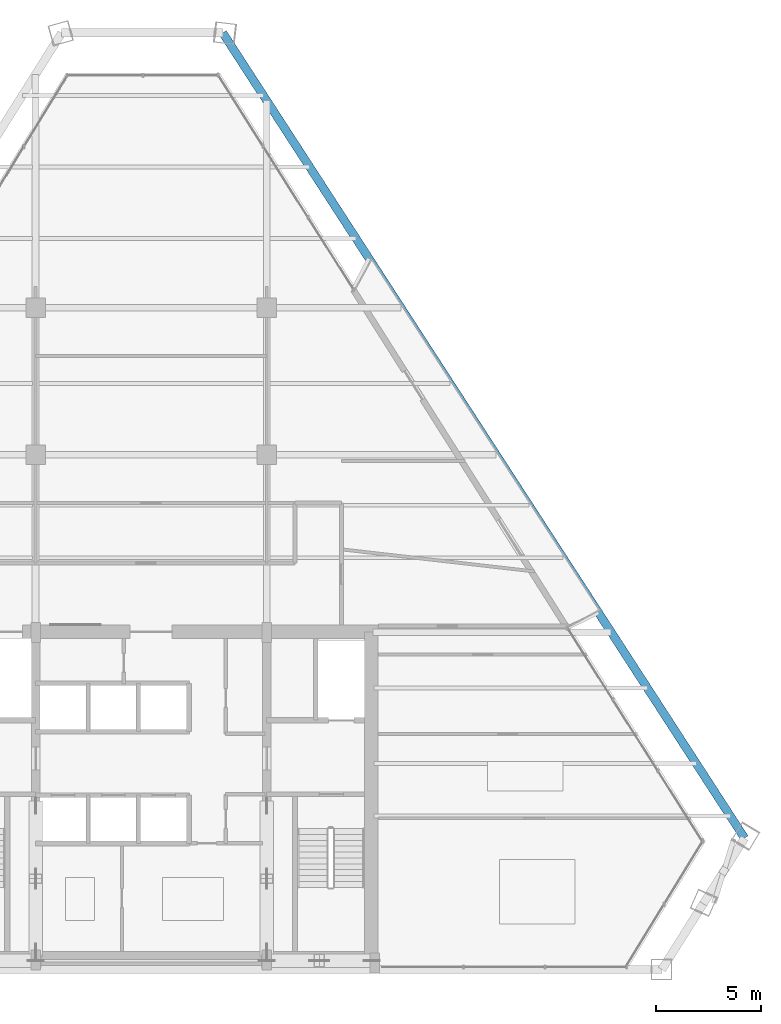
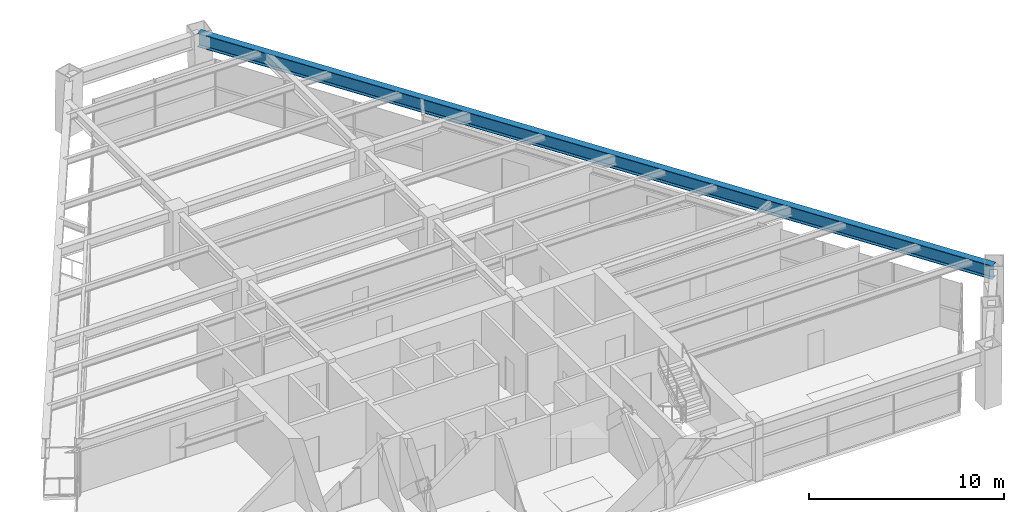
# One storey, part 7 of 15: 1 beam.
"""IFC4 building model written with IfcOpenShell, lengths in metres."""

from ifc_helpers import new_model, si_unit, direction, frame, origin, origin_2d, place, context, subcontext, project, spatial, i_section, extrude, source, transform, mapped, material, material_profile, profile_set, type_object, element, save


model = new_model("IFC4")

# Units and contexts
model_context = context("Model", 3, precision=1e-05, world=origin(), true_north=direction((0.0, 1.0)))
body_context = subcontext(model_context, "Body", "Model", "MODEL_VIEW")
ifc_project = project(units=[si_unit("LENGTHUNIT", "METRE"), si_unit("AREAUNIT", "SQUARE_METRE"), si_unit("VOLUMEUNIT", "CUBIC_METRE"), si_unit("PLANEANGLEUNIT", "RADIAN"), si_unit("MASSUNIT", "GRAM", prefix="KILO")], contexts=[model_context])

# Site, building, storey
site_placement = place(None, origin())
site = spatial("IfcSite", under=ifc_project, at=site_placement, CompositionType="ELEMENT")
building_placement = place(site_placement, origin())
building = spatial("IfcBuilding", under=site, at=building_placement, Name="Varnakhor Terracotta Tower", CompositionType="ELEMENT")
storey_placement = place(building_placement, frame((0.0, 0.0, 196.89990234375)))
storey = spatial("IfcBuildingStorey", under=building, at=storey_placement, Name="L50", CompositionType="ELEMENT", Elevation=196.89990234375)

# Beam
ifc_material = material(Name="Steel S355", Category="steel")
ifc_material_profile = material_profile(ifc_material, i_section(OverallWidth=0.39990234375, OverallDepth=0.85498046875, WebThickness=0.01806640625, FlangeThickness=0.029052734375, FilletRadius=0.01806640625, at=origin_2d()), Name="W33X201")
ifc_profile_set = profile_set([ifc_material_profile], Name="Steel S355")
beam_type = type_object("IfcBeamType", Name="BM-W33X201", PredefinedType="BEAM", material=ifc_profile_set)
shared_shape = source(origin(), body_context, "Body", "SweptSolid", [
    extrude(i_section(OverallWidth=0.39990234375, OverallDepth=0.85498046875, WebThickness=0.01806640625, FlangeThickness=0.029052734375, FilletRadius=0.01806640625, at=origin_2d()), origin(), (0.0, 0.0, 1.0), 45.66748046875),
])
beam_placement = place(storey_placement, frame((28.2451171875, 6.256103515625, 3.04248046875), z_axis=(-0.543831245958, 0.839194599554, 0.0), x_axis=(-0.839194599554, -0.543831245958, 0.0)))
element("IfcBeam", 1, at=beam_placement, inside=storey, type_object=beam_type, Name="L50 Perimeter Spandrel 4", PredefinedType="BEAM", context=body_context, shape_type="MappedRepresentation", body=[
    mapped(shared_shape, transform((0.0, 0.0, 0.0), scale=1.0)),
])

save(model, "model.ifc")
